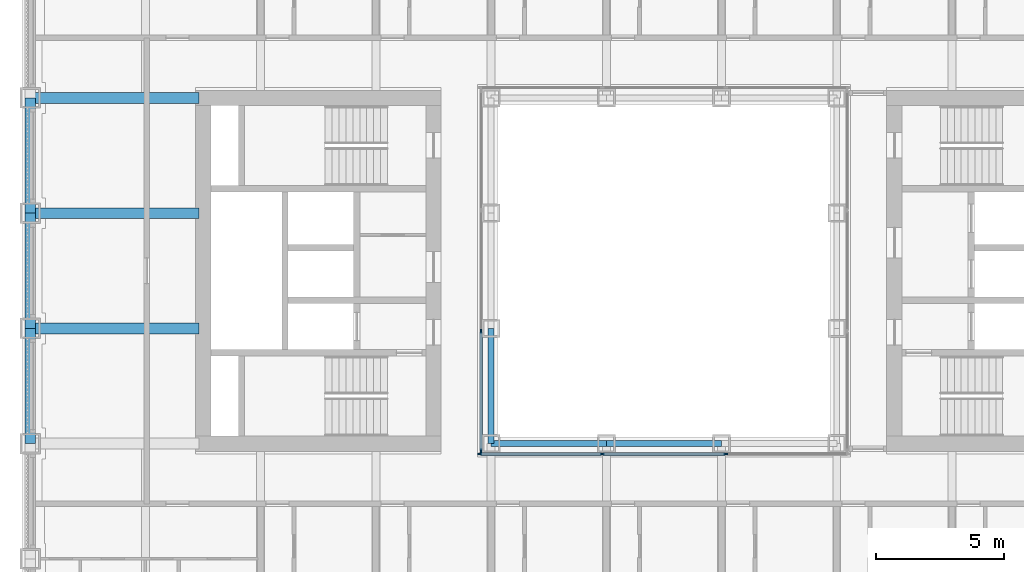
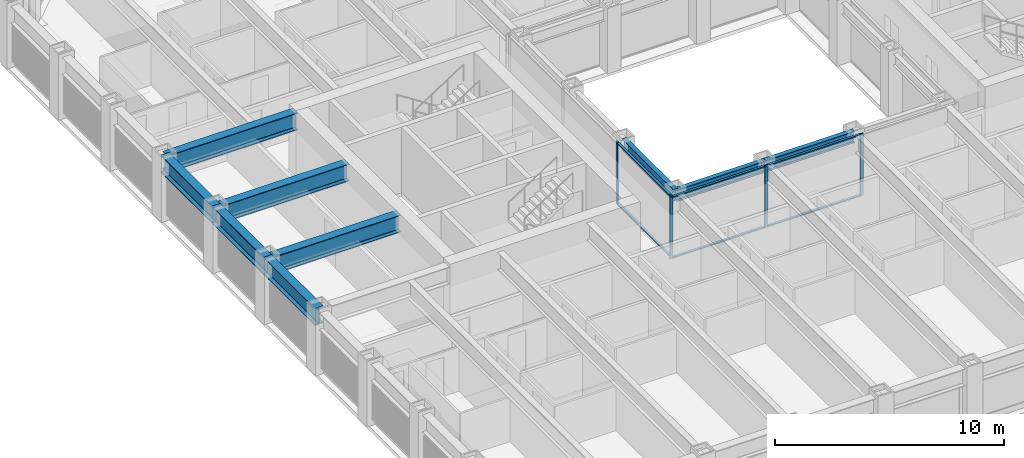
# One storey, part 3 of 21: 11 members, 9 beams, 2 elements without a shape of their own.
"""IFC4 building model written with IfcOpenShell, lengths in metres."""

from ifc_helpers import new_model, si_unit, direction, frame, origin, origin_2d, place, context, subcontext, project, spatial, rectangle, i_section, extrude, material, material_profile, profile_set, type_object, element, aggregate, save


model = new_model("IFC4")

# Units and contexts
model_context = context("Model", 3, precision=1e-05, world=origin(), true_north=direction((0.0, 1.0)))
body_context = subcontext(model_context, "Body", "Model", "MODEL_VIEW")
ifc_project = project(units=[si_unit("LENGTHUNIT", "METRE"), si_unit("AREAUNIT", "SQUARE_METRE"), si_unit("VOLUMEUNIT", "CUBIC_METRE"), si_unit("PLANEANGLEUNIT", "RADIAN"), si_unit("MASSUNIT", "GRAM", prefix="KILO")], contexts=[model_context])

# Site, building, storey
site_placement = place(None, origin())
site = spatial("IfcSite", under=ifc_project, at=site_placement, CompositionType="ELEMENT")
building_placement = place(site_placement, origin())
building = spatial("IfcBuilding", under=site, at=building_placement, Name="Msasa Ring Tower", CompositionType="ELEMENT")
storey_placement = place(building_placement, frame((0.0, 0.0, 33.5)))
storey = spatial("IfcBuildingStorey", under=building, at=storey_placement, Name="L07", CompositionType="ELEMENT", Elevation=33.5)

# Curtain wall, members
ifc_material_1 = material(Name="Aluminium curtain wall with clear glass", Category="aluminium")
curtain_wall_type = type_object("IfcCurtainWallType", Name="CW-W LIGHT WELL CURTAIN WALL", PredefinedType="NOTDEFINED", material=ifc_material_1)
curtain_wall_1_placement = place(storey_placement, origin())
curtain_wall_1 = element("IfcCurtainWall", 1, at=curtain_wall_1_placement, inside=storey, type_object=curtain_wall_type, Name="Light well curtain wall S L07", PredefinedType="NOTDEFINED")
ifc_material_2 = material(Name="Aluminium mullion", Category="aluminium")
ifc_material_profile_1 = material_profile(ifc_material_2, rectangle(XDim=0.06005859375, YDim=0.159912109375, at=origin_2d()), Name="AL 60x160")
ifc_profile_set_1 = profile_set([ifc_material_profile_1], Name="Aluminium mullion")
member_type_1 = type_object("IfcMemberType", Name="CW-W MULLION 60x160", PredefinedType="MULLION", material=ifc_profile_set_1)
member_1_placement = place(storey_placement, frame((-7.199951171875, -7.14990234375, 0.0), z_axis=(0.0, 0.0, 1.0), x_axis=(0.0, 1.0, 0.0)))
member_1 = element("IfcMember", 2, at=member_1_placement, type_object=member_type_1, Name="CW-W mullion 1", PredefinedType="MULLION", context=body_context, shape_type="SweptSolid", body=[
    extrude(rectangle(XDim=0.06005859375, YDim=0.159912109375, at=origin_2d()), origin(), (0.0, 0.0, 1.0), 3.300048828125),
])
member_2_placement = place(storey_placement, frame((-2.409912109375, -7.14990234375, 0.0), z_axis=(0.0, 0.0, 1.0), x_axis=(0.0, 1.0, 0.0)))
member_2 = element("IfcMember", 3, at=member_2_placement, type_object=member_type_1, Name="CW-W mullion 2", PredefinedType="MULLION", context=body_context, shape_type="SweptSolid", body=[
    extrude(rectangle(XDim=0.06005859375, YDim=0.159912109375, at=origin_2d()), origin(), (0.0, 0.0, 1.0), 3.300048828125),
])
member_3_placement = place(storey_placement, frame((2.409912109375, -7.14990234375, 0.0), z_axis=(0.0, 0.0, 1.0), x_axis=(0.0, 1.0, 0.0)))
member_3 = element("IfcMember", 4, at=member_3_placement, type_object=member_type_1, Name="CW-W mullion 3", PredefinedType="MULLION", context=body_context, shape_type="SweptSolid", body=[
    extrude(rectangle(XDim=0.06005859375, YDim=0.159912109375, at=origin_2d()), origin(), (0.0, 0.0, 1.0), 3.300048828125),
])

curtain_wall_2_placement = place(storey_placement, origin())
curtain_wall_2 = element("IfcCurtainWall", 5, at=curtain_wall_2_placement, inside=storey, type_object=curtain_wall_type, Name="Light well curtain wall W L07", PredefinedType="NOTDEFINED")
member_4_placement = place(storey_placement, frame((-7.14990234375, -7.0400390625, 0.0), z_axis=(0.0, 0.0, 1.0), x_axis=(-1.0, 0.0, 0.0)))
member_4 = element("IfcMember", 6, at=member_4_placement, type_object=member_type_1, Name="CW-W mullion 1", PredefinedType="MULLION", context=body_context, shape_type="SweptSolid", body=[
    extrude(rectangle(XDim=0.06005859375, YDim=0.159912109375, at=origin_2d()), origin(), (0.0, 0.0, 1.0), 3.300048828125),
])
member_5_placement = place(storey_placement, frame((-7.14990234375, -2.356689453125, 0.0), z_axis=(0.0, 0.0, 1.0), x_axis=(-1.0, 0.0, 0.0)))
member_5 = element("IfcMember", 7, at=member_5_placement, type_object=member_type_1, Name="CW-W mullion 2", PredefinedType="MULLION", context=body_context, shape_type="SweptSolid", body=[
    extrude(rectangle(XDim=0.06005859375, YDim=0.159912109375, at=origin_2d()), origin(), (0.0, 0.0, 1.0), 3.300048828125),
])

# Member
ifc_material_3 = material(Name="Aluminium transom", Category="aluminium")
ifc_material_profile_2 = material_profile(ifc_material_3, rectangle(XDim=0.1201171875, YDim=0.06005859375, at=origin_2d()), Name="AL 60x120")
ifc_profile_set_2 = profile_set([ifc_material_profile_2], Name="Aluminium transom")
member_type_2 = type_object("IfcMemberType", Name="CW-W TRANSOM 60x120", PredefinedType="USERDEFINED", material=ifc_profile_set_2)
member_6_placement = place(storey_placement, frame((-7.169921875, -7.14990234375, 0.030029296875), z_axis=(1.0, 0.0, 0.0), x_axis=(0.0, 1.0, 0.0)))
member_6 = element("IfcMember", 8, at=member_6_placement, type_object=member_type_2, Name="CW-W transom 1.1", ObjectType="TRANSOM", PredefinedType="USERDEFINED", context=body_context, shape_type="SweptSolid", body=[
    extrude(rectangle(XDim=0.1201171875, YDim=0.06005859375, at=origin_2d()), origin(), (0.0, 0.0, 1.0), 4.72998046875),
])

member_7_placement = place(storey_placement, frame((-7.169921875, -7.14990234375, 3.27001953125), z_axis=(1.0, 0.0, 0.0), x_axis=(0.0, 1.0, 0.0)))
member_7 = element("IfcMember", 9, at=member_7_placement, type_object=member_type_2, Name="CW-W transom 1.2", ObjectType="TRANSOM", PredefinedType="USERDEFINED", context=body_context, shape_type="SweptSolid", body=[
    extrude(rectangle(XDim=0.1201171875, YDim=0.06005859375, at=origin_2d()), origin(), (0.0, 0.0, 1.0), 4.72998046875),
])

member_8_placement = place(storey_placement, frame((-2.3798828125, -7.14990234375, 0.030029296875), z_axis=(1.0, 0.0, 0.0), x_axis=(0.0, 1.0, 0.0)))
member_8 = element("IfcMember", 10, at=member_8_placement, type_object=member_type_2, Name="CW-W transom 2.1", ObjectType="TRANSOM", PredefinedType="USERDEFINED", context=body_context, shape_type="SweptSolid", body=[
    extrude(rectangle(XDim=0.1201171875, YDim=0.06005859375, at=origin_2d()), origin(), (0.0, 0.0, 1.0), 4.759765625),
])

member_9_placement = place(storey_placement, frame((-2.3798828125, -7.14990234375, 3.27001953125), z_axis=(1.0, 0.0, 0.0), x_axis=(0.0, 1.0, 0.0)))
member_9 = element("IfcMember", 11, at=member_9_placement, type_object=member_type_2, Name="CW-W transom 2.2", ObjectType="TRANSOM", PredefinedType="USERDEFINED", context=body_context, shape_type="SweptSolid", body=[
    extrude(rectangle(XDim=0.1201171875, YDim=0.06005859375, at=origin_2d()), origin(), (0.0, 0.0, 1.0), 4.759765625),
])

aggregate(curtain_wall_1, [member_1, member_2, member_3, member_6, member_7, member_8, member_9])

member_10_placement = place(storey_placement, frame((-7.14990234375, -7.010009765625, 0.030029296875), z_axis=(0.0, 1.0, 0.0), x_axis=(-1.0, 0.0, 0.0)))
member_10 = element("IfcMember", 12, at=member_10_placement, type_object=member_type_2, Name="CW-W transom 1.1", ObjectType="TRANSOM", PredefinedType="USERDEFINED", context=body_context, shape_type="SweptSolid", body=[
    extrude(rectangle(XDim=0.1201171875, YDim=0.06005859375, at=origin_2d()), origin(), (0.0, 0.0, 1.0), 4.623291015625),
])

member_11_placement = place(storey_placement, frame((-7.14990234375, -7.010009765625, 3.27001953125), z_axis=(0.0, 1.0, 0.0), x_axis=(-1.0, 0.0, 0.0)))
member_11 = element("IfcMember", 13, at=member_11_placement, type_object=member_type_2, Name="CW-W transom 1.2", ObjectType="TRANSOM", PredefinedType="USERDEFINED", context=body_context, shape_type="SweptSolid", body=[
    extrude(rectangle(XDim=0.1201171875, YDim=0.06005859375, at=origin_2d()), origin(), (0.0, 0.0, 1.0), 4.623291015625),
])

aggregate(curtain_wall_2, [member_4, member_5, member_10, member_11])

# Beams
ifc_material_4 = material(Name="Steel S355", Category="steel")
ifc_material_profile_3 = material_profile(ifc_material_4, i_section(OverallWidth=0.42041015625, OverallDepth=0.9208984375, WebThickness=0.021484375, FlangeThickness=0.03662109375, FilletRadius=0.024169921875, at=origin_2d()), Name="UB 914x419x388")
ifc_profile_set_3 = profile_set([ifc_material_profile_3], Name="Steel S355")
beam_type_1 = type_object("IfcBeamType", Name="FB2 UB 914x419x388", PredefinedType="BEAM", material=ifc_profile_set_3)
for number, where, z_axis, x_axis, name in (
    (14, (-24.75, -2.25, 2.839599609375), (1.0, 0.0, 0.0), (0.0, 1.0, 0.0), "Floor beam W -2.25 under L08"),
    (15, (-24.75, 2.25, 2.839599609375), (1.0, 0.0, 0.0), (0.0, 1.0, 0.0), "Floor beam W +2.25 under L08"),
):
    element("IfcBeam", number, at=place(storey_placement, frame(where, z_axis=z_axis, x_axis=x_axis)), inside=storey, type_object=beam_type_1, Name=name, PredefinedType="BEAM", context=body_context, shape_type="SweptSolid", body=[
        extrude(i_section(OverallWidth=0.42041015625, OverallDepth=0.9208984375, WebThickness=0.021484375, FlangeThickness=0.03662109375, FilletRadius=0.024169921875, at=origin_2d()), origin(), (0.0, 0.0, 1.0), 6.60009765625),
    ])
ifc_material_5 = material(Name="Steel S355", Category="steel")
ifc_material_profile_4 = material_profile(ifc_material_5, i_section(OverallWidth=0.42041015625, OverallDepth=0.9208984375, WebThickness=0.021484375, FlangeThickness=0.03662109375, FilletRadius=0.024169921875, at=origin_2d()), Name="UB 914x419x388")
ifc_profile_set_4 = profile_set([ifc_material_profile_4], Name="Steel S355")
beam_type_2 = type_object("IfcBeamType", Name="GB1 UB 914x419x388", PredefinedType="BEAM", material=ifc_profile_set_4)
beam_placement = place(storey_placement, frame((-18.14990234375, 6.75, 2.839599609375), z_axis=(-1.0, 0.0, 0.0), x_axis=(0.0, -1.0, 0.0)))
element("IfcBeam", 16, at=beam_placement, inside=storey, type_object=beam_type_2, Name="Girder W +6.75 under L08", PredefinedType="BEAM", context=body_context, shape_type="SweptSolid", body=[
    extrude(i_section(OverallWidth=0.42041015625, OverallDepth=0.9208984375, WebThickness=0.021484375, FlangeThickness=0.03662109375, FilletRadius=0.024169921875, at=origin_2d()), origin(), (0.0, 0.0, 1.0), 6.60009765625),
])
ifc_material_6 = material(Name="Steel S355", Category="steel")
ifc_material_profile_5 = material_profile(ifc_material_6, i_section(OverallWidth=0.230224609375, OverallDepth=0.6171875, WebThickness=0.01318359375, FlangeThickness=0.022216796875, FilletRadius=0.0126953125, at=origin_2d()), Name="UB 610x229x140")
ifc_profile_set_5 = profile_set([ifc_material_profile_5], Name="Steel S355")
beam_type_3 = type_object("IfcBeamType", Name="RB1 UB 610x229x140", PredefinedType="BEAM", material=ifc_profile_set_5)
for number, where, z_axis, x_axis, name in (
    (17, (-6.75, -2.25, 2.991455078125), (0.0, -1.0, 0.0), (1.0, 0.0, 0.0), "Inner ring beam IR-6.75-2.25 under L08"),
    (18, (-6.75, -6.75, 2.991455078125), (1.0, 0.0, 0.0), (0.0, 1.0, 0.0), "Inner ring beam IR-6.75-6.75 under L08"),
    (19, (-2.25, -6.75, 2.991455078125), (1.0, 0.0, 0.0), (0.0, 1.0, 0.0), "Inner ring beam IR-2.25-6.75 under L08"),
):
    element("IfcBeam", number, at=place(storey_placement, frame(where, z_axis=z_axis, x_axis=x_axis)), inside=storey, type_object=beam_type_3, Name=name, PredefinedType="BEAM", context=body_context, shape_type="SweptSolid", body=[
        extrude(i_section(OverallWidth=0.230224609375, OverallDepth=0.6171875, WebThickness=0.01318359375, FlangeThickness=0.022216796875, FilletRadius=0.0126953125, at=origin_2d()), origin(), (0.0, 0.0, 1.0), 4.5),
    ])
ifc_material_7 = material(Name="Steel S355", Category="steel")
ifc_material_profile_6 = material_profile(ifc_material_7, i_section(OverallWidth=0.42041015625, OverallDepth=0.9208984375, WebThickness=0.021484375, FlangeThickness=0.03662109375, FilletRadius=0.024169921875, at=origin_2d()), Name="UB 914x419x388")
ifc_profile_set_6 = profile_set([ifc_material_profile_6], Name="Steel S355")
beam_type_4 = type_object("IfcBeamType", Name="SB1 UB 914x419x388", PredefinedType="SPANDREL", material=ifc_profile_set_6)
for number, where, z_axis, x_axis, name in (
    (20, (-24.75, -2.25, 2.839599609375), (0.0, -1.0, 0.0), (1.0, 0.0, 0.0), "Spandrel W-2.25 to W-6.75 under L08"),
    (21, (-24.75, 6.75, 2.839599609375), (0.0, -1.0, 0.0), (1.0, 0.0, 0.0), "Spandrel W+6.75 to W+2.25 under L08"),
    (22, (-24.75, 2.25, 2.839599609375), (0.0, -1.0, 0.0), (1.0, 0.0, 0.0), "Spandrel W+2.25 to W-2.25 under L08"),
):
    element("IfcBeam", number, at=place(storey_placement, frame(where, z_axis=z_axis, x_axis=x_axis)), inside=storey, type_object=beam_type_4, Name=name, PredefinedType="SPANDREL", context=body_context, shape_type="SweptSolid", body=[
        extrude(i_section(OverallWidth=0.42041015625, OverallDepth=0.9208984375, WebThickness=0.021484375, FlangeThickness=0.03662109375, FilletRadius=0.024169921875, at=origin_2d()), origin(), (0.0, 0.0, 1.0), 4.5),
    ])

save(model, "model.ifc")
